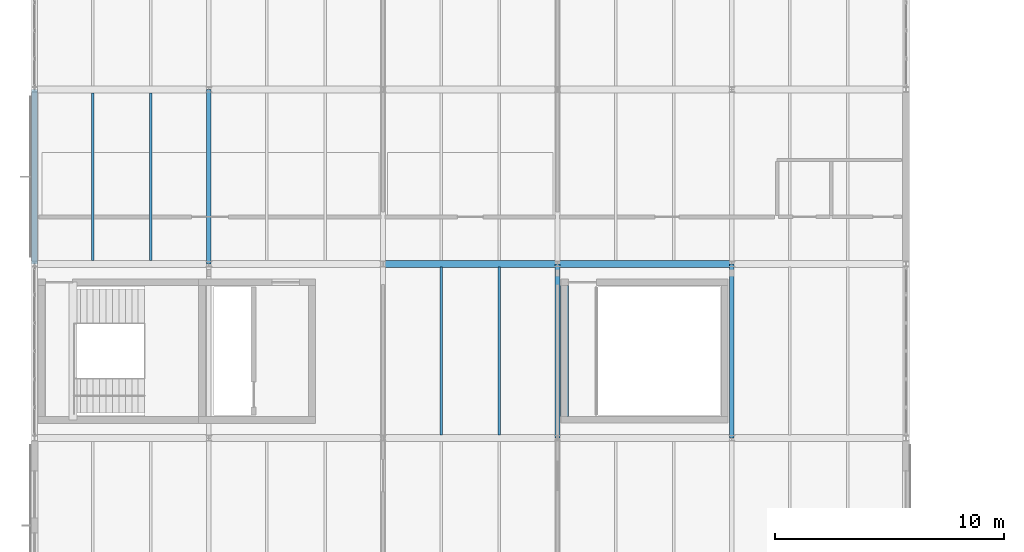
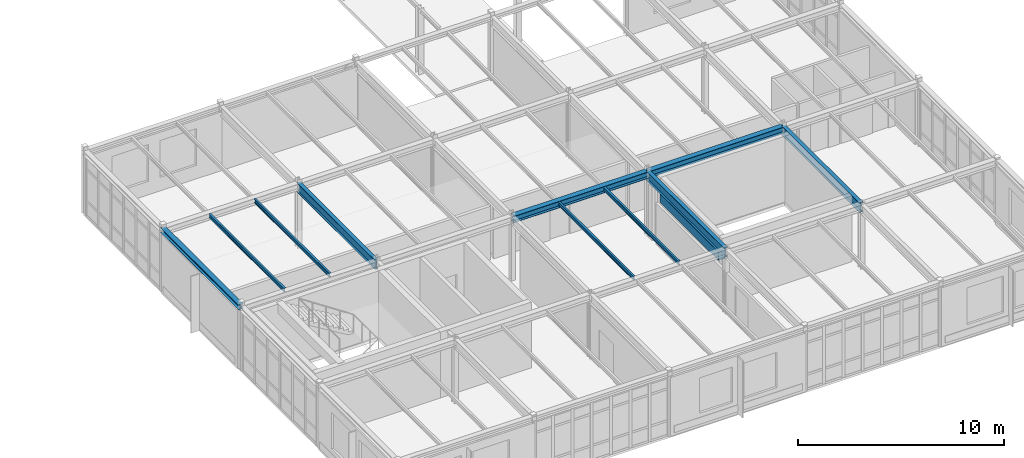
# One storey, part 30 of 189: 11 beams.
"""IFC4 building model written with IfcOpenShell, lengths in metres."""

from ifc_helpers import new_model, si_unit, direction, frame, origin, origin_2d, place, context, subcontext, project, spatial, rectangle, i_section, extrude, material, material_profile, profile_set, type_object, element, save


model = new_model("IFC4")

# Units and contexts
model_context = context("Model", 3, precision=1e-05, world=origin(), true_north=direction((0.0, 1.0)))
body_context = subcontext(model_context, "Body", "Model", "MODEL_VIEW")
ifc_project = project(units=[si_unit("LENGTHUNIT", "METRE"), si_unit("AREAUNIT", "SQUARE_METRE"), si_unit("VOLUMEUNIT", "CUBIC_METRE"), si_unit("PLANEANGLEUNIT", "RADIAN"), si_unit("MASSUNIT", "GRAM", prefix="KILO")], contexts=[model_context])

# Site, building, storey
site_placement = place(None, origin())
site = spatial("IfcSite", under=ifc_project, at=site_placement, CompositionType="ELEMENT")
building_placement = place(site_placement, origin())
building = spatial("IfcBuilding", under=site, at=building_placement, Name="Montecoro Central Library", CompositionType="ELEMENT")
storey_placement = place(building_placement, frame((0.0, 0.0, 9.179931640625)))
storey = spatial("IfcBuildingStorey", under=building, at=storey_placement, Name="L02", CompositionType="ELEMENT", Elevation=9.179931640625)

# Beams
ifc_material_1 = material(Name="Steel S355", Category="steel")
ifc_material_profile_1 = material_profile(ifc_material_1, i_section(OverallWidth=0.300048828125, OverallDepth=0.389892578125, WebThickness=0.010986328125, FlangeThickness=0.01904296875, at=origin_2d()), Name="HEA 400")
ifc_profile_set_1 = profile_set([ifc_material_profile_1], Name="Steel S355")
beam_type_1 = type_object("IfcBeamType", Name="BM-G-HEA400", PredefinedType="USERDEFINED", material=ifc_profile_set_1)
beam_1_placement = place(storey_placement, frame((20.205078125, 20.199951171875, 3.630126953125), z_axis=(1.0, 0.0, 0.0), x_axis=(0.0, 1.0, 0.0)))
element("IfcBeam", 1, at=beam_1_placement, inside=storey, type_object=beam_type_1, Name="V3-L02-BX-34-C", ObjectType="GIRDER", PredefinedType="USERDEFINED", context=body_context, shape_type="SweptSolid", body=[
    extrude(i_section(OverallWidth=0.300048828125, OverallDepth=0.389892578125, WebThickness=0.010986328125, FlangeThickness=0.01904296875, at=origin_2d()), origin(), (0.0, 0.0, 1.0), 7.58984375),
])
beam_2_placement = place(storey_placement, frame((27.804931640625, 20.199951171875, 3.630126953125), z_axis=(1.0, 0.0, 0.0), x_axis=(0.0, 1.0, 0.0)))
element("IfcBeam", 2, at=beam_2_placement, inside=storey, type_object=beam_type_1, Name="V3-L02-BX-45-C", ObjectType="GIRDER", PredefinedType="USERDEFINED", context=body_context, shape_type="SweptSolid", body=[
    extrude(i_section(OverallWidth=0.300048828125, OverallDepth=0.389892578125, WebThickness=0.010986328125, FlangeThickness=0.01904296875, at=origin_2d()), origin(), (0.0, 0.0, 1.0), 7.590087890625),
])
ifc_material_2 = material(Name="Steel S355J2", Category="steel")
ifc_material_profile_2 = material_profile(ifc_material_2, i_section(OverallWidth=0.2099609375, OverallDepth=0.550048828125, WebThickness=0.010986328125, FlangeThickness=0.01708984375, at=origin_2d()), Name="IPE 550")
ifc_profile_set_2 = profile_set([ifc_material_profile_2], Name="Steel S355J2")
beam_type_2 = type_object("IfcBeamType", Name="BM-G-IPE550", PredefinedType="USERDEFINED", material=ifc_profile_set_2)
beam_3_placement = place(storey_placement, frame((12.60009765625, 20.205078125, 3.550048828125), z_axis=(0.0, 1.0, 0.0), x_axis=(-1.0, 0.0, 0.0)))
element("IfcBeam", 3, at=beam_3_placement, inside=storey, type_object=beam_type_2, Name="V3-L02-BY-2-CD", ObjectType="GIRDER", PredefinedType="USERDEFINED", context=body_context, shape_type="SweptSolid", body=[
    extrude(i_section(OverallWidth=0.2099609375, OverallDepth=0.550048828125, WebThickness=0.010986328125, FlangeThickness=0.01708984375, at=origin_2d()), origin(), (0.0, 0.0, 1.0), 7.58984375),
])
for number, where, z_axis, x_axis, name in (
    (4, (27.800048828125, 12.60498046875, 3.550048828125), (0.0, 1.0, 0.0), (-1.0, 0.0, 0.0), "V3-L02-BY-4-BC"),
    (5, (35.39990234375, 12.60498046875, 3.550048828125), (0.0, 1.0, 0.0), (-1.0, 0.0, 0.0), "V3-L02-BY-5-BC"),
):
    element("IfcBeam", number, at=place(storey_placement, frame(where, z_axis=z_axis, x_axis=x_axis)), inside=storey, type_object=beam_type_2, Name=name, ObjectType="GIRDER", PredefinedType="USERDEFINED", context=body_context, shape_type="SweptSolid", body=[
        extrude(i_section(OverallWidth=0.2099609375, OverallDepth=0.550048828125, WebThickness=0.010986328125, FlangeThickness=0.01708984375, at=origin_2d()), origin(), (0.0, 0.0, 1.0), 7.590087890625),
    ])
ifc_material_profile_3 = material_profile(ifc_material_1, i_section(OverallWidth=0.110107421875, OverallDepth=0.219970703125, WebThickness=0.005859375, FlangeThickness=0.00927734375, at=origin_2d()), Name="IPE 220")
ifc_profile_set_3 = profile_set([ifc_material_profile_3], Name="Steel S355")
beam_type_3 = type_object("IfcBeamType", Name="BM-J-IPE220", PredefinedType="JOIST", material=ifc_profile_set_3)
for number, where, z_axis, x_axis, name in (
    (6, (7.532958984375, 20.346923828125, 3.715087890625), (0.0, 1.0, 0.0), (-1.0, 0.0, 0.0), "V3-L02-JS-12-CD-1"),
    (7, (10.06689453125, 20.346923828125, 3.715087890625), (0.0, 1.0, 0.0), (-1.0, 0.0, 0.0), "V3-L02-JS-12-CD-2"),
):
    element("IfcBeam", number, at=place(storey_placement, frame(where, z_axis=z_axis, x_axis=x_axis)), inside=storey, type_object=beam_type_3, Name=name, PredefinedType="JOIST", context=body_context, shape_type="SweptSolid", body=[
        extrude(i_section(OverallWidth=0.110107421875, OverallDepth=0.219970703125, WebThickness=0.005859375, FlangeThickness=0.00927734375, at=origin_2d()), origin(), (0.0, 0.0, 1.0), 7.30615234375),
    ])
for number, where, z_axis, x_axis, name in (
    (8, (22.73291015625, 12.7470703125, 3.715087890625), (0.0, 1.0, 0.0), (-1.0, 0.0, 0.0), "V3-L02-JS-34-BC-1"),
    (9, (25.26708984375, 12.7470703125, 3.715087890625), (0.0, 1.0, 0.0), (-1.0, 0.0, 0.0), "V3-L02-JS-34-BC-2"),
):
    element("IfcBeam", number, at=place(storey_placement, frame(where, z_axis=z_axis, x_axis=x_axis)), inside=storey, type_object=beam_type_3, Name=name, PredefinedType="JOIST", context=body_context, shape_type="SweptSolid", body=[
        extrude(i_section(OverallWidth=0.110107421875, OverallDepth=0.219970703125, WebThickness=0.005859375, FlangeThickness=0.00927734375, at=origin_2d()), origin(), (0.0, 0.0, 1.0), 7.305908203125),
    ])
ifc_material_3 = material(Name="Concrete C35/45", Category="concrete")
ifc_material_profile_4 = material_profile(ifc_material_3, rectangle(XDim=0.35009765625, YDim=0.60009765625, at=origin_2d()), Name="RC LNT 600x350")
ifc_profile_set_4 = profile_set([ifc_material_profile_4], Name="Concrete C35/45")
beam_type_4 = type_object("IfcBeamType", Name="BM-LN-RC01", PredefinedType="LINTEL", material=ifc_profile_set_4)
beam_4_placement = place(storey_placement, frame((28.10009765625, 13.550048828125, 2.75), z_axis=(0.0, 1.0, 0.0), x_axis=(-1.0, 0.0, 0.0)))
element("IfcBeam", 10, at=beam_4_placement, inside=storey, type_object=beam_type_4, Name="C11-L02-LNT", PredefinedType="LINTEL", context=body_context, shape_type="SweptSolid", body=[
    extrude(rectangle(XDim=0.35009765625, YDim=0.60009765625, at=origin_2d()), origin(), (0.0, 0.0, 1.0), 5.699951171875),
])
ifc_material_profile_5 = material_profile(ifc_material_1, i_section(OverallWidth=0.280029296875, OverallDepth=0.27001953125, WebThickness=0.008056640625, FlangeThickness=0.012939453125, at=origin_2d()), Name="HEA 280")
ifc_profile_set_5 = profile_set([ifc_material_profile_5], Name="Steel S355")
beam_type_5 = type_object("IfcBeamType", Name="BM-SP-HEA280", PredefinedType="SPANDREL", material=ifc_profile_set_5)
beam_5_placement = place(storey_placement, frame((5.0, 20.205078125, 3.690185546875), z_axis=(0.0, 1.0, 0.0), x_axis=(-1.0, 0.0, 0.0)))
element("IfcBeam", 11, at=beam_5_placement, inside=storey, type_object=beam_type_5, Name="V3-L02-BY-1-CD", PredefinedType="SPANDREL", context=body_context, shape_type="SweptSolid", body=[
    extrude(i_section(OverallWidth=0.280029296875, OverallDepth=0.27001953125, WebThickness=0.008056640625, FlangeThickness=0.012939453125, at=origin_2d()), origin(), (0.0, 0.0, 1.0), 7.58984375),
])

save(model, "model.ifc")
